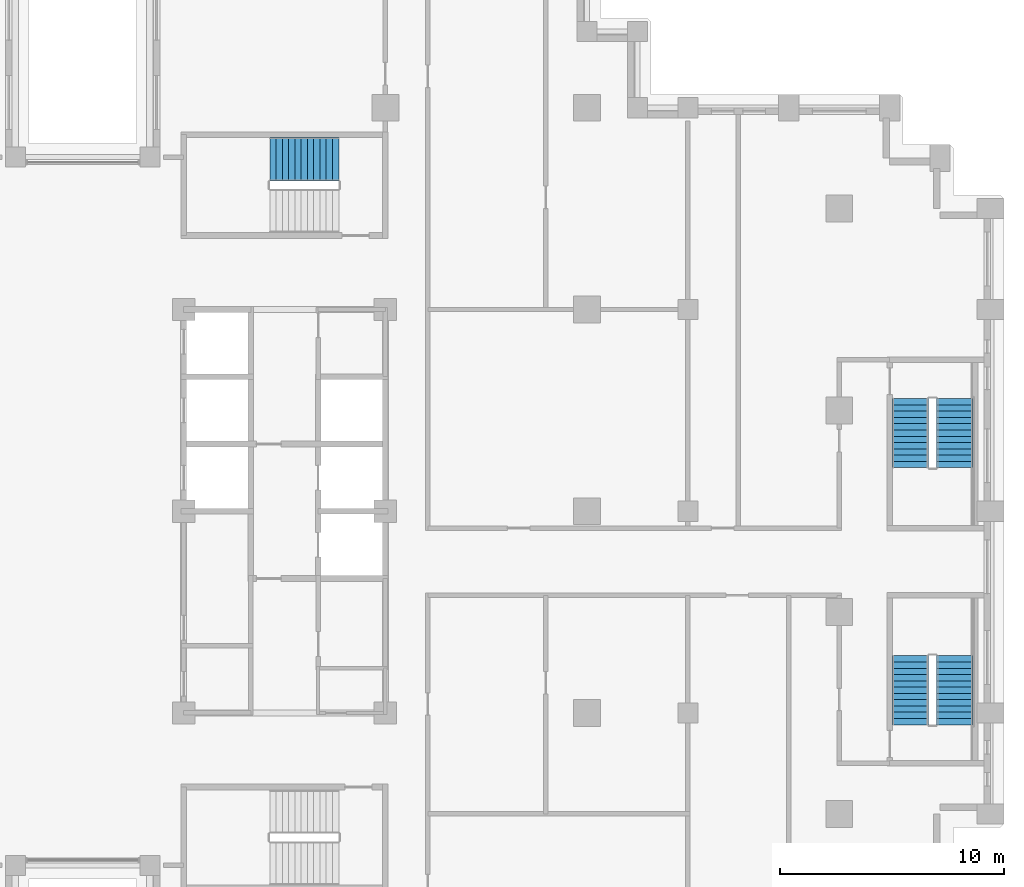
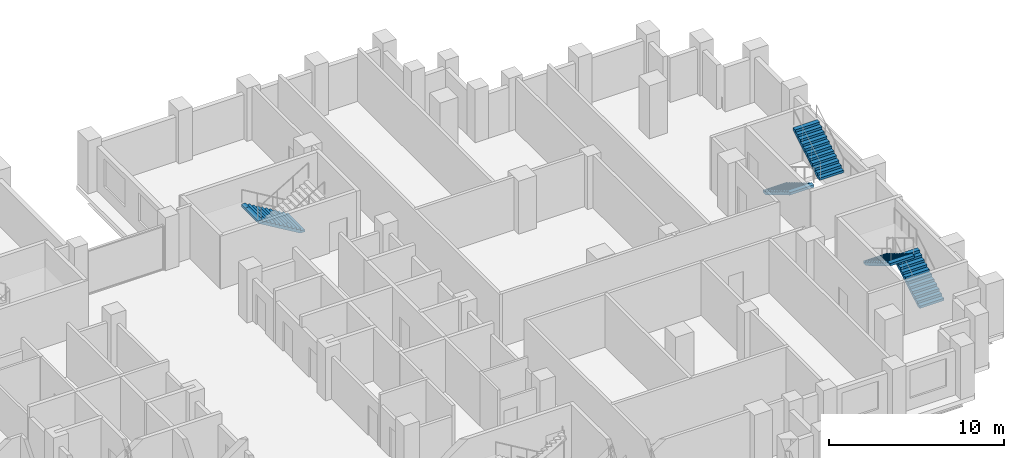
# One storey, part 14 of 16: 5 stair flights, 3 elements without a shape of their own.
"""IFC4 building model written with IfcOpenShell, lengths in metres."""

from ifc_helpers import new_model, si_unit, direction, frame, origin, place, context, subcontext, project, spatial, polyline, outline, extrude, material, type_object, element, aggregate, save


model = new_model("IFC4")

# Units and contexts
model_context = context("Model", 3, precision=1e-05, world=origin(), true_north=direction((0.0, 1.0)))
body_context = subcontext(model_context, "Body", "Model", "MODEL_VIEW")
ifc_project = project(units=[si_unit("LENGTHUNIT", "METRE"), si_unit("AREAUNIT", "SQUARE_METRE"), si_unit("VOLUMEUNIT", "CUBIC_METRE"), si_unit("PLANEANGLEUNIT", "RADIAN"), si_unit("MASSUNIT", "GRAM", prefix="KILO")], contexts=[model_context])

# Site, building, storey
site_placement = place(None, origin())
site = spatial("IfcSite", under=ifc_project, at=site_placement, CompositionType="ELEMENT")
building_placement = place(site_placement, origin())
building = spatial("IfcBuilding", under=site, at=building_placement, Name="Corbelhall Arena Tower", CompositionType="ELEMENT")
storey_placement = place(building_placement, frame((0.0, 0.0, 104.0)))
storey = spatial("IfcBuildingStorey", under=building, at=storey_placement, Name="L18", CompositionType="ELEMENT", Elevation=104.0)

# Stair, stair flight
ifc_material = material(Name="Concrete C40/50", Category="concrete")
stair_type = type_object("IfcStairType", Name="IN-ST-TOWER", PredefinedType="HALF_TURN_STAIR", material=ifc_material)
stair_1_placement = place(storey_placement, origin())
stair_1 = element("IfcStair", 1, at=stair_1_placement, inside=storey, type_object=stair_type, Name="L18 Exit stair ST3", PredefinedType="HALF_TURN_STAIR")
stair_flight_type = type_object("IfcStairFlightType", Name="IN-SFL-RC", PredefinedType="STRAIGHT", material=ifc_material)
stair_flight_1_placement = place(storey_placement, frame((11.425048828125, 15.699951171875, 0.0), z_axis=(0.0, 0.0, 1.0), x_axis=(-1.0, 0.0, 0.0)))
stair_flight_1 = element("IfcStairFlight", 2, at=stair_flight_1_placement, type_object=stair_flight_type, Name="ST3 flight 1", NumberOfRisers=12, NumberOfTreads=11, PredefinedType="STRAIGHT", RiserHeight=0.166666667, TreadLength=0.28, context=body_context, shape_type="SweptSolid", body=[
    extrude(outline(polyline([(0.0, 0.0), (0.0, 0.166748046875), (0.280029296875, 0.166748046875), (0.280029296875, 0.333251953125), (0.56005859375, 0.333251953125), (0.56005859375, 0.5), (0.840087890625, 0.5), (0.840087890625, 0.666748046875), (1.1201171875, 0.666748046875), (1.1201171875, 0.833251953125), (1.39990234375, 0.833251953125), (1.39990234375, 1.0), (1.679931640625, 1.0), (1.679931640625, 1.166748046875), (1.9599609375, 1.166748046875), (1.9599609375, 1.333251953125), (2.239990234375, 1.333251953125), (2.239990234375, 1.5), (2.52001953125, 1.5), (2.52001953125, 1.666748046875), (2.800048828125, 1.666748046875), (2.800048828125, 1.833251953125), (3.080078125, 1.833251953125), (3.080078125, 2.0), (3.080078125, 1.658935546875), (0.29296875, 0.0), (0.0, 0.0)])), frame((0.0, 0.97509765625, 0.0), z_axis=(0.0, -1.0, 0.0), x_axis=(1.0, 0.0, 0.0)), (0.0, 0.0, 1.0), 0.449951171875),
    extrude(outline(polyline([(0.0, 0.0), (0.0, 0.166748046875), (0.280029296875, 0.166748046875), (0.280029296875, 0.333251953125), (0.56005859375, 0.333251953125), (0.56005859375, 0.5), (0.840087890625, 0.5), (0.840087890625, 0.666748046875), (1.1201171875, 0.666748046875), (1.1201171875, 0.833251953125), (1.39990234375, 0.833251953125), (1.39990234375, 1.0), (1.679931640625, 1.0), (1.679931640625, 1.166748046875), (1.9599609375, 1.166748046875), (1.9599609375, 1.333251953125), (2.239990234375, 1.333251953125), (2.239990234375, 1.5), (2.52001953125, 1.5), (2.52001953125, 1.666748046875), (2.800048828125, 1.666748046875), (2.800048828125, 1.833251953125), (3.080078125, 1.833251953125), (3.080078125, 2.0), (3.080078125, 1.658935546875), (0.29296875, 0.0), (0.0, 0.0)])), frame((0.0, 0.52099609375, 0.0), z_axis=(0.0, -1.0, 0.0), x_axis=(1.0, 0.0, 0.0)), (0.0, 0.0, 1.0), 1.0419921875),
    extrude(outline(polyline([(0.0, 0.0), (0.0, 0.166748046875), (0.280029296875, 0.166748046875), (0.280029296875, 0.333251953125), (0.56005859375, 0.333251953125), (0.56005859375, 0.5), (0.840087890625, 0.5), (0.840087890625, 0.666748046875), (1.1201171875, 0.666748046875), (1.1201171875, 0.833251953125), (1.39990234375, 0.833251953125), (1.39990234375, 1.0), (1.679931640625, 1.0), (1.679931640625, 1.166748046875), (1.9599609375, 1.166748046875), (1.9599609375, 1.333251953125), (2.239990234375, 1.333251953125), (2.239990234375, 1.5), (2.52001953125, 1.5), (2.52001953125, 1.666748046875), (2.800048828125, 1.666748046875), (2.800048828125, 1.833251953125), (3.080078125, 1.833251953125), (3.080078125, 2.0), (3.080078125, 1.658935546875), (0.29296875, 0.0), (0.0, 0.0)])), frame((0.0, -0.52490234375, 0.0), z_axis=(0.0, -1.0, 0.0), x_axis=(1.0, 0.0, 0.0)), (0.0, 0.0, 1.0), 0.449951171875),
])
aggregate(stair_1, [stair_flight_1])

# Stair, stair flights
stair_2_placement = place(storey_placement, origin())
stair_2 = element("IfcStair", 3, at=stair_2_placement, inside=storey, type_object=stair_type, Name="L18 Exit stair SD1", PredefinedType="HALF_TURN_STAIR")
stair_flight_2_placement = place(storey_placement, frame((38.89990234375, -9.52490234375, 0.0), z_axis=(0.0, 0.0, 1.0), x_axis=(0.0, 1.0, 0.0)))
stair_flight_2 = element("IfcStairFlight", 4, at=stair_flight_2_placement, type_object=stair_flight_type, Name="SD1 flight 1", NumberOfRisers=12, NumberOfTreads=11, PredefinedType="STRAIGHT", RiserHeight=0.166666667, TreadLength=0.28, context=body_context, shape_type="SweptSolid", body=[
    extrude(outline(polyline([(0.0, 0.0), (0.0, 0.166748046875), (0.280029296875, 0.166748046875), (0.280029296875, 0.333251953125), (0.56005859375, 0.333251953125), (0.56005859375, 0.5), (0.840087890625, 0.5), (0.840087890625, 0.666748046875), (1.1201171875, 0.666748046875), (1.1201171875, 0.833251953125), (1.39990234375, 0.833251953125), (1.39990234375, 1.0), (1.679931640625, 1.0), (1.679931640625, 1.166748046875), (1.9599609375, 1.166748046875), (1.9599609375, 1.333251953125), (2.239990234375, 1.333251953125), (2.239990234375, 1.5), (2.52001953125, 1.5), (2.52001953125, 1.666748046875), (2.800048828125, 1.666748046875), (2.800048828125, 1.833251953125), (3.080078125, 1.833251953125), (3.080078125, 2.0), (3.080078125, 1.658935546875), (0.29296875, 0.0), (0.0, 0.0)])), frame((0.0, 0.800048828125, 0.0), z_axis=(0.0, -1.0, 0.0), x_axis=(1.0, 0.0, 0.0)), (0.0, 0.0, 1.0), 1.60009765625),
])
stair_flight_3_placement = place(storey_placement, frame((36.925048828125, -6.445068359375, 2.0), z_axis=(0.0, 0.0, 1.0), x_axis=(0.0, -1.0, 0.0)))
stair_flight_3 = element("IfcStairFlight", 5, at=stair_flight_3_placement, type_object=stair_flight_type, Name="SD1 flight 2", NumberOfRisers=12, NumberOfTreads=11, PredefinedType="STRAIGHT", RiserHeight=0.166666667, TreadLength=0.28, context=body_context, shape_type="SweptSolid", body=[
    extrude(outline(polyline([(0.0, 0.0), (0.0, 0.166748046875), (0.280029296875, 0.166748046875), (0.280029296875, 0.333251953125), (0.56005859375, 0.333251953125), (0.56005859375, 0.5), (0.840087890625, 0.5), (0.840087890625, 0.666748046875), (1.1201171875, 0.666748046875), (1.1201171875, 0.833251953125), (1.39990234375, 0.833251953125), (1.39990234375, 1.0), (1.679931640625, 1.0), (1.679931640625, 1.166748046875), (1.9599609375, 1.166748046875), (1.9599609375, 1.333251953125), (2.239990234375, 1.333251953125), (2.239990234375, 1.5), (2.52001953125, 1.5), (2.52001953125, 1.666748046875), (2.800048828125, 1.666748046875), (2.800048828125, 1.833251953125), (3.080078125, 1.833251953125), (3.080078125, 2.0), (3.080078125, 1.658935546875), (0.29296875, 0.0), (0.0, 0.0)])), frame((0.0, 0.800048828125, 0.0), z_axis=(0.0, -1.0, 0.0), x_axis=(1.0, 0.0, 0.0)), (0.0, 0.0, 1.0), 1.60009765625),
])
aggregate(stair_2, [stair_flight_2, stair_flight_3])

stair_3_placement = place(storey_placement, origin())
stair_3 = element("IfcStair", 6, at=stair_3_placement, inside=storey, type_object=stair_type, Name="L18 Exit stair SD2", PredefinedType="HALF_TURN_STAIR")
stair_flight_4_placement = place(storey_placement, frame((36.925048828125, 5.02490234375, 0.0), z_axis=(0.0, 0.0, 1.0), x_axis=(0.0, -1.0, 0.0)))
stair_flight_4 = element("IfcStairFlight", 7, at=stair_flight_4_placement, type_object=stair_flight_type, Name="SD2 flight 1", NumberOfRisers=12, NumberOfTreads=11, PredefinedType="STRAIGHT", RiserHeight=0.166666667, TreadLength=0.28, context=body_context, shape_type="SweptSolid", body=[
    extrude(outline(polyline([(0.0, 0.0), (0.0, 0.166748046875), (0.280029296875, 0.166748046875), (0.280029296875, 0.333251953125), (0.56005859375, 0.333251953125), (0.56005859375, 0.5), (0.840087890625, 0.5), (0.840087890625, 0.666748046875), (1.1201171875, 0.666748046875), (1.1201171875, 0.833251953125), (1.39990234375, 0.833251953125), (1.39990234375, 1.0), (1.679931640625, 1.0), (1.679931640625, 1.166748046875), (1.9599609375, 1.166748046875), (1.9599609375, 1.333251953125), (2.239990234375, 1.333251953125), (2.239990234375, 1.5), (2.52001953125, 1.5), (2.52001953125, 1.666748046875), (2.800048828125, 1.666748046875), (2.800048828125, 1.833251953125), (3.080078125, 1.833251953125), (3.080078125, 2.0), (3.080078125, 1.658935546875), (0.29296875, 0.0), (0.0, 0.0)])), frame((0.0, 0.800048828125, 0.0), z_axis=(0.0, -1.0, 0.0), x_axis=(1.0, 0.0, 0.0)), (0.0, 0.0, 1.0), 1.60009765625),
])
stair_flight_5_placement = place(storey_placement, frame((38.89990234375, 1.945068359375, 2.0), z_axis=(0.0, 0.0, 1.0), x_axis=(0.0, 1.0, 0.0)))
stair_flight_5 = element("IfcStairFlight", 8, at=stair_flight_5_placement, type_object=stair_flight_type, Name="SD2 flight 2", NumberOfRisers=12, NumberOfTreads=11, PredefinedType="STRAIGHT", RiserHeight=0.166666667, TreadLength=0.28, context=body_context, shape_type="SweptSolid", body=[
    extrude(outline(polyline([(0.0, 0.0), (0.0, 0.166748046875), (0.280029296875, 0.166748046875), (0.280029296875, 0.333251953125), (0.56005859375, 0.333251953125), (0.56005859375, 0.5), (0.840087890625, 0.5), (0.840087890625, 0.666748046875), (1.1201171875, 0.666748046875), (1.1201171875, 0.833251953125), (1.39990234375, 0.833251953125), (1.39990234375, 1.0), (1.679931640625, 1.0), (1.679931640625, 1.166748046875), (1.9599609375, 1.166748046875), (1.9599609375, 1.333251953125), (2.239990234375, 1.333251953125), (2.239990234375, 1.5), (2.52001953125, 1.5), (2.52001953125, 1.666748046875), (2.800048828125, 1.666748046875), (2.800048828125, 1.833251953125), (3.080078125, 1.833251953125), (3.080078125, 2.0), (3.080078125, 1.658935546875), (0.29296875, 0.0), (0.0, 0.0)])), frame((0.0, 0.800048828125, 0.0), z_axis=(0.0, -1.0, 0.0), x_axis=(1.0, 0.0, 0.0)), (0.0, 0.0, 1.0), 1.60009765625),
])
aggregate(stair_3, [stair_flight_4, stair_flight_5])

save(model, "model.ifc")
